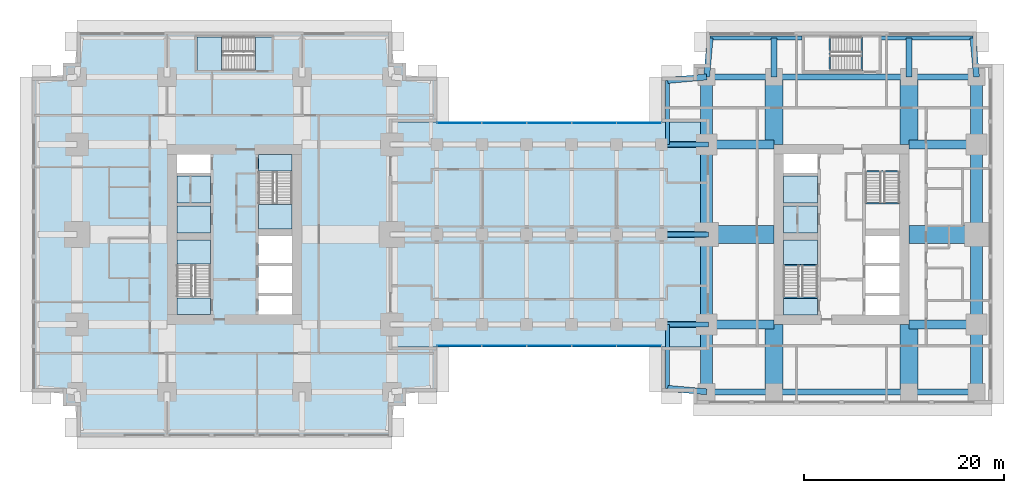
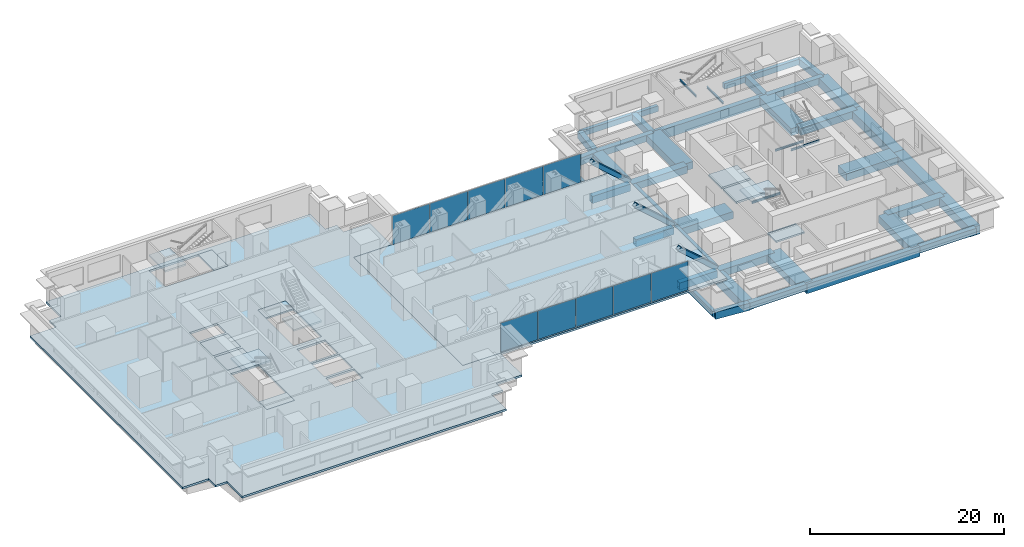
# One storey, part 5 of 16: 43 beams, 14 slabs, 10 plates, 3 members, 6 elements without a shape of their own.
"""IFC4 building model written with IfcOpenShell, lengths in metres."""

from ifc_helpers import new_model, si_unit, direction, frame, origin, origin_2d, place, context, subcontext, project, spatial, polyline, rectangle, hollow_rectangle, i_section, outline, extrude, material, layer, layer_set, material_profile, profile_set, type_object, element, aggregate, save


model = new_model("IFC4")

# Units and contexts
model_context = context("Model", 3, precision=1e-05, world=origin(), true_north=direction((0.0, 1.0)))
body_context = subcontext(model_context, "Body", "Model", "MODEL_VIEW")
ifc_project = project(units=[si_unit("LENGTHUNIT", "METRE"), si_unit("AREAUNIT", "SQUARE_METRE"), si_unit("VOLUMEUNIT", "CUBIC_METRE"), si_unit("PLANEANGLEUNIT", "RADIAN"), si_unit("MASSUNIT", "GRAM", prefix="KILO")], contexts=[model_context])

# Site, building, storey
site_placement = place(None, origin())
site = spatial("IfcSite", under=ifc_project, at=site_placement, CompositionType="ELEMENT")
building_placement = place(site_placement, origin())
building = spatial("IfcBuilding", under=site, at=building_placement, Name="Namib Vertical Campus", CompositionType="ELEMENT")
storey_placement = place(building_placement, frame((0.0, 0.0, 113.0)))
storey = spatial("IfcBuildingStorey", under=building, at=storey_placement, Name="L26", CompositionType="ELEMENT", Elevation=113.0)

# Members
ifc_material_1 = material(Name="Steel S355JR", Category="steel")
ifc_material_profile_1 = material_profile(ifc_material_1, hollow_rectangle(XDim=0.5, YDim=0.5, WallThickness=0.031982421875, at=origin_2d()))
ifc_profile_set_1 = profile_set([ifc_material_profile_1], Name="Steel S355JR")
member_type = type_object("IfcMemberType", Name="Bridge end brace WB 500x500x32", PredefinedType="BRACE", material=ifc_profile_set_1)
for number, where, z_axis, x_axis, name in (
    (1, (67.5, 11.25, 0.0), (-0.747409318684, 0.0, 0.66436383883), (0.0, -1.0, 0.0), "Bridge brace BX1 L26 T1 bay 7"),
    (2, (67.5, 20.25, 0.0), (-0.747409318684, 0.0, 0.66436383883), (0.0, -1.0, 0.0), "Bridge brace BX1 L26 T2 bay 7"),
    (3, (67.5, 29.25, 0.0), (-0.747409318684, 0.0, 0.66436383883), (0.0, -1.0, 0.0), "Bridge brace BX1 L26 T3 bay 7"),
):
    element("IfcMember", number, at=place(storey_placement, frame(where, z_axis=z_axis, x_axis=x_axis)), inside=storey, type_object=member_type, Name=name, PredefinedType="BRACE", context=body_context, shape_type="SweptSolid", body=[
        extrude(hollow_rectangle(XDim=0.5, YDim=0.5, WallThickness=0.031982421875, at=origin_2d()), origin(), (0.0, 0.0, 1.0), 6.020751953125),
    ])

# Beams
ifc_material_2 = material(Name="Steel S355JR", Category="steel")
ifc_material_profile_2 = material_profile(ifc_material_2, hollow_rectangle(XDim=0.60009765625, YDim=0.89990234375, WallThickness=0.050048828125, at=origin_2d()))
ifc_profile_set_2 = profile_set([ifc_material_profile_2], Name="Steel S355JR")
beam_type_1 = type_object("IfcBeamType", Name="Bridge girder WB 900x600x50", PredefinedType="BEAM", material=ifc_profile_set_2)
for number, where, z_axis, x_axis, name in (
    (4, (63.0, 11.25, -0.699951171875), (1.0, 0.0, 0.0), (0.0, 1.0, 0.0), "Bridge girder BG1 L26"),
    (5, (63.0, 20.25, -0.699951171875), (1.0, 0.0, 0.0), (0.0, 1.0, 0.0), "Bridge girder BG1 L26"),
    (6, (63.0, 29.25, -0.699951171875), (1.0, 0.0, 0.0), (0.0, 1.0, 0.0), "Bridge girder BG1 L26"),
):
    element("IfcBeam", number, at=place(storey_placement, frame(where, z_axis=z_axis, x_axis=x_axis)), inside=storey, type_object=beam_type_1, Name=name, PredefinedType="BEAM", context=body_context, shape_type="SweptSolid", body=[
        extrude(hollow_rectangle(XDim=0.60009765625, YDim=0.89990234375, WallThickness=0.050048828125, at=origin_2d()), origin(), (0.0, 0.0, 1.0), 4.5),
    ])
ifc_material_3 = material(Name="Concrete C40/50", Category="concrete")
ifc_material_profile_3 = material_profile(ifc_material_3, rectangle(XDim=0.60009765625, YDim=0.89990234375, at=origin_2d()))
ifc_profile_set_3 = profile_set([ifc_material_profile_3], Name="Concrete C40/50")
beam_type_2 = type_object("IfcBeamType", Name="Cantilever girder RC 600x900", PredefinedType="BEAM", material=ifc_profile_set_3)
beam_1_placement = place(storey_placement, frame((67.5, 36.0, -0.699951171875), z_axis=(0.089411326146, 0.995994786511, 0.0), x_axis=(-0.995994786511, 0.089411326146, 0.0)))
element("IfcBeam", 7, at=beam_1_placement, inside=storey, type_object=beam_type_2, Name="Beam B3 L26", PredefinedType="BEAM", context=body_context, shape_type="SweptSolid", body=[
    extrude(rectangle(XDim=0.60009765625, YDim=0.89990234375, at=origin_2d()), origin(), (0.0, 0.0, 1.0), 3.91552734375),
])
for number, where, z_axis, x_axis, name in (
    (8, (74.25, 36.0, -0.699951171875), (0.0, 1.0, 0.0), (-1.0, 0.0, 0.0), "Beam B3 L26"),
    (9, (87.75, 36.0, -0.699951171875), (0.0, 1.0, 0.0), (-1.0, 0.0, 0.0), "Beam B3 L26"),
):
    element("IfcBeam", number, at=place(storey_placement, frame(where, z_axis=z_axis, x_axis=x_axis)), inside=storey, type_object=beam_type_2, Name=name, PredefinedType="BEAM", context=body_context, shape_type="SweptSolid", body=[
        extrude(rectangle(XDim=0.60009765625, YDim=0.89990234375, at=origin_2d()), origin(), (0.0, 0.0, 1.0), 3.89990234375),
    ])
for number, where, z_axis, x_axis, name in (
    (10, (94.5, 36.0, -0.699951171875), (-0.089411326146, 0.995994786511, 0.0), (-0.995994786511, -0.089411326146, 0.0), "Beam B3 L26"),
    (11, (67.5, 4.5, -0.699951171875), (-0.995994786511, 0.089411326146, 0.0), (-0.089411326146, -0.995994786511, 0.0), "Beam B3 L26"),
    (12, (67.5, 36.0, -0.699951171875), (-0.995994786511, -0.089411326146, 0.0), (0.089411326146, -0.995994786511, 0.0), "Beam B3 L26"),
):
    element("IfcBeam", number, at=place(storey_placement, frame(where, z_axis=z_axis, x_axis=x_axis)), inside=storey, type_object=beam_type_2, Name=name, PredefinedType="BEAM", context=body_context, shape_type="SweptSolid", body=[
        extrude(rectangle(XDim=0.60009765625, YDim=0.89990234375, at=origin_2d()), origin(), (0.0, 0.0, 1.0), 3.91552734375),
    ])
ifc_material_4 = material(Name="Concrete C40/50", Category="concrete")
ifc_material_profile_4 = material_profile(ifc_material_4, rectangle(XDim=0.39990234375, YDim=0.699951171875, at=origin_2d()))
ifc_profile_set_4 = profile_set([ifc_material_profile_4], Name="Concrete C40/50")
beam_type_3 = type_object("IfcBeamType", Name="Edge beam RC 400x700", PredefinedType="SPANDREL", material=ifc_profile_set_4)
for number, where, z_axis, x_axis, name in (
    (13, (67.85009765625, 39.89990234375, -0.60009765625), (1.0, 0.0, 0.0), (0.0, 1.0, 0.0), "Beam B4 L26"),
    (14, (84.949951171875, 39.89990234375, -0.60009765625), (1.0, 0.0, 0.0), (0.0, 1.0, 0.0), "Beam B4 L26"),
):
    element("IfcBeam", number, at=place(storey_placement, frame(where, z_axis=z_axis, x_axis=x_axis)), inside=storey, type_object=beam_type_3, Name=name, PredefinedType="SPANDREL", context=body_context, shape_type="SweptSolid", body=[
        extrude(rectangle(XDim=0.39990234375, YDim=0.699951171875, at=origin_2d()), origin(), (0.0, 0.0, 1.0), 9.199951171875),
    ])
for number, where, z_axis, x_axis, name in (
    (15, (63.60009765625, 4.85009765625, -0.60009765625), (0.0, 1.0, 0.0), (-1.0, 0.0, 0.0), "Beam B4 L26"),
    (16, (63.60009765625, 29.25, -0.60009765625), (0.0, 1.0, 0.0), (-1.0, 0.0, 0.0), "Beam B4 L26"),
):
    element("IfcBeam", number, at=place(storey_placement, frame(where, z_axis=z_axis, x_axis=x_axis)), inside=storey, type_object=beam_type_3, Name=name, PredefinedType="SPANDREL", context=body_context, shape_type="SweptSolid", body=[
        extrude(rectangle(XDim=0.39990234375, YDim=0.699951171875, at=origin_2d()), origin(), (0.0, 0.0, 1.0), 6.39990234375),
    ])
ifc_material_5 = material(Name="Concrete C40/50", Category="concrete")
ifc_material_profile_5 = material_profile(ifc_material_5, rectangle(XDim=0.89990234375, YDim=0.89990234375, at=origin_2d()))
ifc_profile_set_5 = profile_set([ifc_material_profile_5], Name="Concrete C40/50")
beam_type_4 = type_object("IfcBeamType", Name="Face girder RC 900x900", PredefinedType="BEAM", material=ifc_profile_set_5)
for number, where, z_axis, x_axis, name in (
    (17, (67.5, 11.25, -0.699951171875), (1.0, 0.0, 0.0), (0.0, 1.0, 0.0), "Beam B10 L26"),
    (18, (94.5, 11.25, -0.699951171875), (-1.0, 0.0, 0.0), (0.0, -1.0, 0.0), "Beam B10 L26"),
    (19, (67.5, 29.25, -0.699951171875), (1.0, 0.0, 0.0), (0.0, 1.0, 0.0), "Beam B10 L26"),
    (20, (94.5, 29.25, -0.699951171875), (-1.0, 0.0, 0.0), (0.0, -1.0, 0.0), "Beam B10 L26"),
):
    element("IfcBeam", number, at=place(storey_placement, frame(where, z_axis=z_axis, x_axis=x_axis)), inside=storey, type_object=beam_type_4, Name=name, PredefinedType="BEAM", context=body_context, shape_type="SweptSolid", body=[
        extrude(rectangle(XDim=0.89990234375, YDim=0.89990234375, at=origin_2d()), origin(), (0.0, 0.0, 1.0), 6.75),
    ])
ifc_material_6 = material(Name="Concrete C40/50", Category="concrete")
ifc_material_profile_6 = material_profile(ifc_material_6, rectangle(XDim=1.199951171875, YDim=1.10009765625, at=origin_2d()))
ifc_profile_set_6 = profile_set([ifc_material_profile_6], Name="Concrete C40/50")
beam_type_5 = type_object("IfcBeamType", Name="Face ring beam RC 1200x1100", PredefinedType="BEAM", material=ifc_profile_set_6)
beam_2_placement = place(storey_placement, frame((67.5, 4.5, -0.800048828125), z_axis=(0.0, 1.0, 0.0), x_axis=(-1.0, 0.0, 0.0)))
element("IfcBeam", 21, at=beam_2_placement, inside=storey, type_object=beam_type_5, Name="Beam B11 L26", PredefinedType="BEAM", context=body_context, shape_type="SweptSolid", body=[
    extrude(rectangle(XDim=1.199951171875, YDim=1.10009765625, at=origin_2d()), origin(), (0.0, 0.0, 1.0), 6.75),
])
for number, where, z_axis, x_axis, name in (
    (22, (67.5, 11.25, -0.800048828125), (0.0, 1.0, 0.0), (-1.0, 0.0, 0.0), "Beam B11 L26"),
    (23, (67.5, 20.25, -0.800048828125), (0.0, 1.0, 0.0), (-1.0, 0.0, 0.0), "Beam B11 L26"),
):
    element("IfcBeam", number, at=place(storey_placement, frame(where, z_axis=z_axis, x_axis=x_axis)), inside=storey, type_object=beam_type_5, Name=name, PredefinedType="BEAM", context=body_context, shape_type="SweptSolid", body=[
        extrude(rectangle(XDim=1.199951171875, YDim=1.10009765625, at=origin_2d()), origin(), (0.0, 0.0, 1.0), 9.0),
    ])
for number, where, z_axis, x_axis, name in (
    (24, (67.5, 29.25, -0.800048828125), (0.0, 1.0, 0.0), (-1.0, 0.0, 0.0), "Beam B11 L26"),
    (25, (94.5, 4.5, -0.800048828125), (0.0, 1.0, 0.0), (-1.0, 0.0, 0.0), "Beam B11 L26"),
):
    element("IfcBeam", number, at=place(storey_placement, frame(where, z_axis=z_axis, x_axis=x_axis)), inside=storey, type_object=beam_type_5, Name=name, PredefinedType="BEAM", context=body_context, shape_type="SweptSolid", body=[
        extrude(rectangle(XDim=1.199951171875, YDim=1.10009765625, at=origin_2d()), origin(), (0.0, 0.0, 1.0), 6.75),
    ])
for number, where, z_axis, x_axis, name in (
    (26, (94.5, 11.25, -0.800048828125), (0.0, 1.0, 0.0), (-1.0, 0.0, 0.0), "Beam B11 L26"),
    (27, (94.5, 20.25, -0.800048828125), (0.0, 1.0, 0.0), (-1.0, 0.0, 0.0), "Beam B11 L26"),
):
    element("IfcBeam", number, at=place(storey_placement, frame(where, z_axis=z_axis, x_axis=x_axis)), inside=storey, type_object=beam_type_5, Name=name, PredefinedType="BEAM", context=body_context, shape_type="SweptSolid", body=[
        extrude(rectangle(XDim=1.199951171875, YDim=1.10009765625, at=origin_2d()), origin(), (0.0, 0.0, 1.0), 9.0),
    ])
beam_3_placement = place(storey_placement, frame((94.5, 29.25, -0.800048828125), z_axis=(0.0, 1.0, 0.0), x_axis=(-1.0, 0.0, 0.0)))
element("IfcBeam", 28, at=beam_3_placement, inside=storey, type_object=beam_type_5, Name="Beam B11 L26", PredefinedType="BEAM", context=body_context, shape_type="SweptSolid", body=[
    extrude(rectangle(XDim=1.199951171875, YDim=1.10009765625, at=origin_2d()), origin(), (0.0, 0.0, 1.0), 6.75),
])
ifc_material_7 = material(Name="Steel S355JR", Category="steel")
ifc_material_profile_7 = material_profile(ifc_material_7, i_section(OverallWidth=0.14599609375, OverallDepth=0.25146484375, WebThickness=0.006103515625, FlangeThickness=0.008544921875, FilletRadius=0.007568359375, at=origin_2d()))
ifc_profile_set_7 = profile_set([ifc_material_profile_7], Name="Steel S355JR")
beam_type_6 = type_object("IfcBeamType", Name="Landing trimmer UB 254x146x31", PredefinedType="BEAM", material=ifc_profile_set_7)
for number, where, z_axis, x_axis, name in (
    (29, (75.199951171875, 13.927001953125, -0.125732421875), (1.0, 0.0, 0.0), (0.0, 1.0, 0.0), "Landing trimmer LT1 B-S1 L26 1"),
    (30, (75.199951171875, 17.153076171875, 1.874267578125), (1.0, 0.0, 0.0), (0.0, 1.0, 0.0), "Landing trimmer LT1 B-S1 L26 2"),
    (31, (83.39990234375, 26.572998046875, -0.125732421875), (1.0, 0.0, 0.0), (0.0, 1.0, 0.0), "Landing trimmer LT1 B-S2 L26 1"),
    (32, (83.39990234375, 23.346923828125, 1.874267578125), (1.0, 0.0, 0.0), (0.0, 1.0, 0.0), "Landing trimmer LT1 B-S2 L26 2"),
):
    element("IfcBeam", number, at=place(storey_placement, frame(where, z_axis=z_axis, x_axis=x_axis)), inside=storey, type_object=beam_type_6, Name=name, PredefinedType="BEAM", context=body_context, shape_type="SweptSolid", body=[
        extrude(i_section(OverallWidth=0.14599609375, OverallDepth=0.25146484375, WebThickness=0.006103515625, FlangeThickness=0.008544921875, FilletRadius=0.007568359375, at=origin_2d()), origin(), (0.0, 0.0, 1.0), 3.400146484375),
    ])
for number, where, z_axis, x_axis, name in (
    (33, (83.02294921875, 36.60009765625, -0.125732421875), (0.0, 1.0, 0.0), (-1.0, 0.0, 0.0), "Landing trimmer LT1 B-S3 L26 1"),
    (34, (79.796875, 36.60009765625, 1.874267578125), (0.0, 1.0, 0.0), (-1.0, 0.0, 0.0), "Landing trimmer LT1 B-S3 L26 2"),
):
    element("IfcBeam", number, at=place(storey_placement, frame(where, z_axis=z_axis, x_axis=x_axis)), inside=storey, type_object=beam_type_6, Name=name, PredefinedType="BEAM", context=body_context, shape_type="SweptSolid", body=[
        extrude(i_section(OverallWidth=0.14599609375, OverallDepth=0.25146484375, WebThickness=0.006103515625, FlangeThickness=0.008544921875, FilletRadius=0.007568359375, at=origin_2d()), origin(), (0.0, 0.0, 1.0), 3.39990234375),
    ])
ifc_material_8 = material(Name="Concrete C40/50", Category="concrete")
ifc_material_profile_8 = material_profile(ifc_material_8, rectangle(XDim=0.60009765625, YDim=1.199951171875, at=origin_2d()))
ifc_profile_set_8 = profile_set([ifc_material_profile_8], Name="Concrete C40/50")
beam_type_7 = type_object("IfcBeamType", Name="Long-span ring beam RC 600x1200", PredefinedType="BEAM", material=ifc_profile_set_8)
for number, where, z_axis, x_axis, name in (
    (35, (74.25, 4.5, -0.85009765625), (1.0, 0.0, 0.0), (0.0, 1.0, 0.0), "Beam B9 L26"),
    (36, (74.25, 36.0, -0.85009765625), (1.0, 0.0, 0.0), (0.0, 1.0, 0.0), "Beam B9 L26"),
):
    element("IfcBeam", number, at=place(storey_placement, frame(where, z_axis=z_axis, x_axis=x_axis)), inside=storey, type_object=beam_type_7, Name=name, PredefinedType="BEAM", context=body_context, shape_type="SweptSolid", body=[
        extrude(rectangle(XDim=0.60009765625, YDim=1.199951171875, at=origin_2d()), origin(), (0.0, 0.0, 1.0), 13.5),
    ])
ifc_material_9 = material(Name="Concrete C40/50", Category="concrete")
ifc_material_profile_9 = material_profile(ifc_material_9, rectangle(XDim=1.800048828125, YDim=0.89990234375, at=origin_2d()))
ifc_profile_set_9 = profile_set([ifc_material_profile_9], Name="Concrete C40/50")
beam_type_8 = type_object("IfcBeamType", Name="Outrigger line girder RC 1800x900", PredefinedType="BEAM", material=ifc_profile_set_9)
for number, where, z_axis, x_axis, name in (
    (37, (74.25, 4.5, -0.699951171875), (0.0, 1.0, 0.0), (-1.0, 0.0, 0.0), "Beam B12 L26"),
    (38, (74.25, 36.0, -0.699951171875), (0.0, -1.0, 0.0), (1.0, 0.0, 0.0), "Beam B12 L26"),
    (39, (87.75, 4.5, -0.699951171875), (0.0, 1.0, 0.0), (-1.0, 0.0, 0.0), "Beam B12 L26"),
    (40, (87.75, 36.0, -0.699951171875), (0.0, -1.0, 0.0), (1.0, 0.0, 0.0), "Beam B12 L26"),
    (41, (67.5, 20.25, -0.699951171875), (1.0, 0.0, 0.0), (0.0, 1.0, 0.0), "Beam B12 L26"),
    (42, (94.5, 20.25, -0.699951171875), (-1.0, 0.0, 0.0), (0.0, -1.0, 0.0), "Beam B12 L26"),
):
    element("IfcBeam", number, at=place(storey_placement, frame(where, z_axis=z_axis, x_axis=x_axis)), inside=storey, type_object=beam_type_8, Name=name, PredefinedType="BEAM", context=body_context, shape_type="SweptSolid", body=[
        extrude(rectangle(XDim=1.800048828125, YDim=0.89990234375, at=origin_2d()), origin(), (0.0, 0.0, 1.0), 6.75),
    ])
ifc_material_10 = material(Name="Concrete C40/50", Category="concrete")
ifc_material_profile_10 = material_profile(ifc_material_10, rectangle(XDim=0.60009765625, YDim=0.800048828125, at=origin_2d()))
ifc_profile_set_10 = profile_set([ifc_material_profile_10], Name="Concrete C40/50")
beam_type_9 = type_object("IfcBeamType", Name="Ring beam RC 600x800", PredefinedType="BEAM", material=ifc_profile_set_10)
for number, where, z_axis, x_axis, name in (
    (43, (67.5, 4.5, -0.64990234375), (1.0, 0.0, 0.0), (0.0, 1.0, 0.0), "Beam B1 L26"),
    (44, (87.75, 4.5, -0.64990234375), (1.0, 0.0, 0.0), (0.0, 1.0, 0.0), "Beam B1 L26"),
    (45, (67.5, 36.0, -0.64990234375), (1.0, 0.0, 0.0), (0.0, 1.0, 0.0), "Beam B1 L26"),
    (46, (87.75, 36.0, -0.64990234375), (1.0, 0.0, 0.0), (0.0, 1.0, 0.0), "Beam B1 L26"),
):
    element("IfcBeam", number, at=place(storey_placement, frame(where, z_axis=z_axis, x_axis=x_axis)), inside=storey, type_object=beam_type_9, Name=name, PredefinedType="BEAM", context=body_context, shape_type="SweptSolid", body=[
        extrude(rectangle(XDim=0.60009765625, YDim=0.800048828125, at=origin_2d()), origin(), (0.0, 0.0, 1.0), 6.75),
    ])

# Curtain wall, plates
ifc_material_11 = material(Name="Black aluminium curtain wall", Category="aluminium")
ifc_layer_1 = layer(ifc_material_11, 0.199951171875)
ifc_layer_set_1 = layer_set([ifc_layer_1], Name="Bridge curtain wall CW-BR")
curtain_wall_type = type_object("IfcCurtainWallType", Name="Bridge curtain wall CW-BR", PredefinedType="USERDEFINED", material=ifc_layer_set_1)
curtain_wall_1_placement = place(storey_placement, origin())
curtain_wall_1 = element("IfcCurtainWall", 47, at=curtain_wall_1_placement, inside=storey, type_object=curtain_wall_type, Name="Curtain wall CW-BR L26 S", ObjectType="CURTAIN WALL", PredefinedType="USERDEFINED")
ifc_material_12 = material(Name="Dark tinted glass", Category="glass")
ifc_layer_2 = layer(ifc_material_12, 0.028076171875)
ifc_layer_set_2 = layer_set([ifc_layer_2], Name="Dark solar glass panel 28")
plate_type = type_object("IfcPlateType", Name="Dark solar glass panel 28", PredefinedType="CURTAIN_PANEL", material=ifc_layer_set_2)
plate_1_placement = place(storey_placement, frame((42.764892578125, 9.10009765625, 0.06005859375), z_axis=(0.0, 0.0, 1.0), x_axis=(1.0, 0.0, 0.0)))
plate_1 = element("IfcPlate", 48, at=plate_1_placement, type_object=plate_type, Name="CW-BR panel 1.1", PredefinedType="CURTAIN_PANEL", context=body_context, shape_type="SweptSolid", body=[
    extrude(rectangle(XDim=4.409912109375, YDim=0.028076171875, at=origin_2d()), origin(), (0.0, 0.0, 1.0), 3.6298828125),
])
plate_2_placement = place(storey_placement, frame((47.25, 9.10009765625, 0.06005859375), z_axis=(0.0, 0.0, 1.0), x_axis=(1.0, 0.0, 0.0)))
plate_2 = element("IfcPlate", 49, at=plate_2_placement, type_object=plate_type, Name="CW-BR panel 2.1", PredefinedType="CURTAIN_PANEL", context=body_context, shape_type="SweptSolid", body=[
    extrude(rectangle(XDim=4.43994140625, YDim=0.028076171875, at=origin_2d()), origin(), (0.0, 0.0, 1.0), 3.6298828125),
])
plate_3_placement = place(storey_placement, frame((51.75, 9.10009765625, 0.06005859375), z_axis=(0.0, 0.0, 1.0), x_axis=(1.0, 0.0, 0.0)))
plate_3 = element("IfcPlate", 50, at=plate_3_placement, type_object=plate_type, Name="CW-BR panel 3.1", PredefinedType="CURTAIN_PANEL", context=body_context, shape_type="SweptSolid", body=[
    extrude(rectangle(XDim=4.43994140625, YDim=0.028076171875, at=origin_2d()), origin(), (0.0, 0.0, 1.0), 3.6298828125),
])
plate_4_placement = place(storey_placement, frame((56.25, 9.10009765625, 0.06005859375), z_axis=(0.0, 0.0, 1.0), x_axis=(1.0, 0.0, 0.0)))
plate_4 = element("IfcPlate", 51, at=plate_4_placement, type_object=plate_type, Name="CW-BR panel 4.1", PredefinedType="CURTAIN_PANEL", context=body_context, shape_type="SweptSolid", body=[
    extrude(rectangle(XDim=4.43994140625, YDim=0.028076171875, at=origin_2d()), origin(), (0.0, 0.0, 1.0), 3.6298828125),
])
plate_5_placement = place(storey_placement, frame((60.735107421875, 9.10009765625, 0.06005859375), z_axis=(0.0, 0.0, 1.0), x_axis=(1.0, 0.0, 0.0)))
plate_5 = element("IfcPlate", 52, at=plate_5_placement, type_object=plate_type, Name="CW-BR panel 5.1", PredefinedType="CURTAIN_PANEL", context=body_context, shape_type="SweptSolid", body=[
    extrude(rectangle(XDim=4.409912109375, YDim=0.028076171875, at=origin_2d()), origin(), (0.0, 0.0, 1.0), 3.6298828125),
])
aggregate(curtain_wall_1, [plate_1, plate_2, plate_3, plate_4, plate_5])

curtain_wall_2_placement = place(storey_placement, origin())
curtain_wall_2 = element("IfcCurtainWall", 53, at=curtain_wall_2_placement, inside=storey, type_object=curtain_wall_type, Name="Curtain wall CW-BR L26 N", ObjectType="CURTAIN WALL", PredefinedType="USERDEFINED")
plate_6_placement = place(storey_placement, frame((60.735107421875, 31.39990234375, 0.06005859375), z_axis=(0.0, 0.0, 1.0), x_axis=(-1.0, 0.0, 0.0)))
plate_6 = element("IfcPlate", 54, at=plate_6_placement, type_object=plate_type, Name="CW-BR panel 1.1", PredefinedType="CURTAIN_PANEL", context=body_context, shape_type="SweptSolid", body=[
    extrude(rectangle(XDim=4.409912109375, YDim=0.028076171875, at=origin_2d()), origin(), (0.0, 0.0, 1.0), 3.6298828125),
])
plate_7_placement = place(storey_placement, frame((56.25, 31.39990234375, 0.06005859375), z_axis=(0.0, 0.0, 1.0), x_axis=(-1.0, 0.0, 0.0)))
plate_7 = element("IfcPlate", 55, at=plate_7_placement, type_object=plate_type, Name="CW-BR panel 2.1", PredefinedType="CURTAIN_PANEL", context=body_context, shape_type="SweptSolid", body=[
    extrude(rectangle(XDim=4.43994140625, YDim=0.028076171875, at=origin_2d()), origin(), (0.0, 0.0, 1.0), 3.6298828125),
])
plate_8_placement = place(storey_placement, frame((51.75, 31.39990234375, 0.06005859375), z_axis=(0.0, 0.0, 1.0), x_axis=(-1.0, 0.0, 0.0)))
plate_8 = element("IfcPlate", 56, at=plate_8_placement, type_object=plate_type, Name="CW-BR panel 3.1", PredefinedType="CURTAIN_PANEL", context=body_context, shape_type="SweptSolid", body=[
    extrude(rectangle(XDim=4.43994140625, YDim=0.028076171875, at=origin_2d()), origin(), (0.0, 0.0, 1.0), 3.6298828125),
])
plate_9_placement = place(storey_placement, frame((47.25, 31.39990234375, 0.06005859375), z_axis=(0.0, 0.0, 1.0), x_axis=(-1.0, 0.0, 0.0)))
plate_9 = element("IfcPlate", 57, at=plate_9_placement, type_object=plate_type, Name="CW-BR panel 4.1", PredefinedType="CURTAIN_PANEL", context=body_context, shape_type="SweptSolid", body=[
    extrude(rectangle(XDim=4.43994140625, YDim=0.028076171875, at=origin_2d()), origin(), (0.0, 0.0, 1.0), 3.6298828125),
])
plate_10_placement = place(storey_placement, frame((42.764892578125, 31.39990234375, 0.06005859375), z_axis=(0.0, 0.0, 1.0), x_axis=(-1.0, 0.0, 0.0)))
plate_10 = element("IfcPlate", 58, at=plate_10_placement, type_object=plate_type, Name="CW-BR panel 5.1", PredefinedType="CURTAIN_PANEL", context=body_context, shape_type="SweptSolid", body=[
    extrude(rectangle(XDim=4.409912109375, YDim=0.028076171875, at=origin_2d()), origin(), (0.0, 0.0, 1.0), 3.6298828125),
])
aggregate(curtain_wall_2, [plate_6, plate_7, plate_8, plate_9, plate_10])

# Slabs
ifc_material_13 = material(Name="Concrete C40/50", Category="concrete")
ifc_layer_3 = layer(ifc_material_13, 0.25)
ifc_layer_set_3 = layer_set([ifc_layer_3], Name="Concrete C40/50")
slab_type_1 = type_object("IfcSlabType", Name="Floor slab 250", PredefinedType="FLOOR", material=ifc_layer_set_3)
slab_1_placement = place(storey_placement, frame((0.0, 0.0, -0.25)))
element("IfcSlab", 59, at=slab_1_placement, inside=storey, type_object=slab_type_1, Name="Floor slab A L26", PredefinedType="FLOOR", context=body_context, shape_type="SweptSolid", body=[
    extrude(outline(polyline([(4.5, 3.10009765625), (4.5, 0.0), (36.0, 0.0), (36.0, 3.10009765625), (37.39990234375, 3.10009765625), (37.39990234375, 4.5), (40.5, 4.5), (40.5, 9.0), (36.0, 9.0), (36.0, 31.5), (40.5, 31.5), (40.5, 36.0), (37.39990234375, 36.0), (37.39990234375, 37.39990234375), (36.0, 37.39990234375), (36.0, 40.5), (4.5, 40.5), (4.5, 37.39990234375), (3.10009765625, 37.39990234375), (3.10009765625, 36.0), (0.0, 36.0), (0.0, 4.5), (3.10009765625, 4.5), (3.10009765625, 3.10009765625), (4.5, 3.10009765625)]), holes=[polyline([(14.5, 12.25), (17.85009765625, 12.25), (17.85009765625, 19.699951171875), (14.5, 19.699951171875), (14.5, 12.25)]), polyline([(22.64990234375, 20.800048828125), (26.0, 20.800048828125), (26.0, 28.25), (22.64990234375, 28.25), (22.64990234375, 20.800048828125)]), polyline([(22.64990234375, 12.25), (26.0, 12.25), (26.0, 14.10009765625), (22.64990234375, 14.10009765625), (22.64990234375, 12.25)]), polyline([(14.5, 20.39990234375), (17.85009765625, 20.39990234375), (17.85009765625, 23.10009765625), (14.5, 23.10009765625), (14.5, 20.39990234375)]), polyline([(14.5, 23.39990234375), (17.85009765625, 23.39990234375), (17.85009765625, 26.10009765625), (14.5, 26.10009765625), (14.5, 23.39990234375)]), polyline([(14.5, 26.39990234375), (17.85009765625, 26.39990234375), (17.85009765625, 28.25), (14.5, 28.25), (14.5, 26.39990234375)]), polyline([(22.64990234375, 14.39990234375), (26.0, 14.39990234375), (26.0, 17.10009765625), (22.64990234375, 17.10009765625), (22.64990234375, 14.39990234375)]), polyline([(22.64990234375, 17.39990234375), (26.0, 17.39990234375), (26.0, 20.10009765625), (22.64990234375, 20.10009765625), (22.64990234375, 17.39990234375)]), polyline([(16.5, 36.64990234375), (24.0, 36.64990234375), (24.0, 40.0), (16.5, 40.0), (16.5, 36.64990234375)])]), origin(), (0.0, 0.0, 1.0), 0.25),
])
slab_2_placement = place(storey_placement, frame((0.0, 0.0, -0.25)))
element("IfcSlab", 60, at=slab_2_placement, inside=storey, type_object=slab_type_1, Name="Bridge floor L26", PredefinedType="FLOOR", context=body_context, shape_type="SweptSolid", body=[
    extrude(outline(polyline([(36.0, 9.0), (67.5, 9.0), (67.5, 31.5), (36.0, 31.5), (36.0, 9.0)])), origin(), (0.0, 0.0, 1.0), 0.25),
])
ifc_material_14 = material(Name="Concrete C40/50 precast", Category="concrete")
ifc_layer_4 = layer(ifc_material_14, 0.25)
ifc_layer_set_4 = layer_set([ifc_layer_4], Name="Concrete C40/50 precast")
slab_type_2 = type_object("IfcSlabType", Name="Shaft infill floor 250", PredefinedType="FLOOR", material=ifc_layer_set_4)
slab_3_placement = place(storey_placement, frame((0.0, 0.0, -0.25)))
element("IfcSlab", 61, at=slab_3_placement, inside=storey, type_object=slab_type_2, Name="Shaft infill floor A L26 P1", PredefinedType="FLOOR", context=body_context, shape_type="SweptSolid", body=[
    extrude(outline(polyline([(14.5, 20.39990234375), (17.85009765625, 20.39990234375), (17.85009765625, 23.10009765625), (14.5, 23.10009765625), (14.5, 20.39990234375)])), origin(), (0.0, 0.0, 1.0), 0.25),
])
slab_4_placement = place(storey_placement, frame((0.0, 0.0, -0.25)))
element("IfcSlab", 62, at=slab_4_placement, inside=storey, type_object=slab_type_2, Name="Shaft infill floor A L26 P2", PredefinedType="FLOOR", context=body_context, shape_type="SweptSolid", body=[
    extrude(outline(polyline([(14.5, 23.39990234375), (17.85009765625, 23.39990234375), (17.85009765625, 26.10009765625), (14.5, 26.10009765625), (14.5, 23.39990234375)])), origin(), (0.0, 0.0, 1.0), 0.25),
])
slab_5_placement = place(storey_placement, frame((0.0, 0.0, -0.25)))
element("IfcSlab", 63, at=slab_5_placement, inside=storey, type_object=slab_type_2, Name="Shaft infill floor B L26 P1", PredefinedType="FLOOR", context=body_context, shape_type="SweptSolid", body=[
    extrude(outline(polyline([(75.199951171875, 20.39990234375), (78.60009765625, 20.39990234375), (78.60009765625, 23.10009765625), (75.199951171875, 23.10009765625), (75.199951171875, 20.39990234375)])), origin(), (0.0, 0.0, 1.0), 0.25),
])
slab_6_placement = place(storey_placement, frame((0.0, 0.0, -0.25)))
element("IfcSlab", 64, at=slab_6_placement, inside=storey, type_object=slab_type_2, Name="Shaft infill floor B L26 P2", PredefinedType="FLOOR", context=body_context, shape_type="SweptSolid", body=[
    extrude(outline(polyline([(75.199951171875, 23.39990234375), (78.60009765625, 23.39990234375), (78.60009765625, 26.10009765625), (75.199951171875, 26.10009765625), (75.199951171875, 23.39990234375)])), origin(), (0.0, 0.0, 1.0), 0.25),
])

# Stair, slabs
ifc_material_15 = material(Name="Concrete C40/50 precast", Category="concrete")
stair_type_1 = type_object("IfcStairType", Name="Exit stair 4000 rise 24 risers 3350 wide", PredefinedType="HALF_TURN_STAIR", material=ifc_material_15)
stair_1_placement = place(storey_placement, origin())
stair_1 = element("IfcStair", 65, at=stair_1_placement, inside=storey, type_object=stair_type_1, Name="Exit stair A-S1 L26", PredefinedType="HALF_TURN_STAIR")
ifc_material_16 = material(Name="Concrete C40/50", Category="concrete")
ifc_layer_5 = layer(ifc_material_16, 0.199951171875)
ifc_layer_set_5 = layer_set([ifc_layer_5], Name="Concrete C40/50")
slab_type_3 = type_object("IfcSlabType", Name="Stair landing 200", PredefinedType="LANDING", material=ifc_layer_set_5)
slab_7_placement = place(storey_placement, frame((0.0, 0.0, -0.199951171875)))
slab_7 = element("IfcSlab", 66, at=slab_7_placement, type_object=slab_type_3, Name="A-S1 landing 1", PredefinedType="LANDING", context=body_context, shape_type="SweptSolid", body=[
    extrude(outline(polyline([(14.5, 12.25), (17.85009765625, 12.25), (17.85009765625, 13.90380859375), (14.5, 13.90380859375), (14.5, 12.25)])), origin(), (0.0, 0.0, 1.0), 0.199951171875),
])
slab_8_placement = place(storey_placement, frame((0.0, 0.0, 1.800048828125)))
slab_8 = element("IfcSlab", 67, at=slab_8_placement, type_object=slab_type_3, Name="A-S1 landing 2", PredefinedType="LANDING", context=body_context, shape_type="SweptSolid", body=[
    extrude(outline(polyline([(14.5, 17.276123046875), (17.85009765625, 17.276123046875), (17.85009765625, 19.699951171875), (14.5, 19.699951171875), (14.5, 17.276123046875)])), origin(), (0.0, 0.0, 1.0), 0.199951171875),
])
aggregate(stair_1, [slab_7, slab_8])

stair_2_placement = place(storey_placement, origin())
stair_2 = element("IfcStair", 68, at=stair_2_placement, inside=storey, type_object=stair_type_1, Name="Exit stair A-S2 L26", PredefinedType="HALF_TURN_STAIR")
slab_9_placement = place(storey_placement, frame((0.0, 0.0, -0.199951171875)))
slab_9 = element("IfcSlab", 69, at=slab_9_placement, type_object=slab_type_3, Name="A-S2 landing 1", PredefinedType="LANDING", context=body_context, shape_type="SweptSolid", body=[
    extrude(outline(polyline([(22.64990234375, 26.59619140625), (26.0, 26.59619140625), (26.0, 28.25), (22.64990234375, 28.25), (22.64990234375, 26.59619140625)])), origin(), (0.0, 0.0, 1.0), 0.199951171875),
])
slab_10_placement = place(storey_placement, frame((0.0, 0.0, 1.800048828125)))
slab_10 = element("IfcSlab", 70, at=slab_10_placement, type_object=slab_type_3, Name="A-S2 landing 2", PredefinedType="LANDING", context=body_context, shape_type="SweptSolid", body=[
    extrude(outline(polyline([(22.64990234375, 20.800048828125), (26.0, 20.800048828125), (26.0, 23.223876953125), (22.64990234375, 23.223876953125), (22.64990234375, 20.800048828125)])), origin(), (0.0, 0.0, 1.0), 0.199951171875),
])
aggregate(stair_2, [slab_9, slab_10])

ifc_material_17 = material(Name="Concrete C40/50 precast", Category="concrete")
stair_type_2 = type_object("IfcStairType", Name="Exit stair 4000 rise 24 risers 3400 wide", PredefinedType="HALF_TURN_STAIR", material=ifc_material_17)
stair_3_placement = place(storey_placement, origin())
stair_3 = element("IfcStair", 71, at=stair_3_placement, inside=storey, type_object=stair_type_2, Name="Exit stair B-S1 L26", PredefinedType="HALF_TURN_STAIR")
slab_11_placement = place(storey_placement, frame((0.0, 0.0, -0.199951171875)))
slab_11 = element("IfcSlab", 72, at=slab_11_placement, type_object=slab_type_3, Name="B-S1 landing 1", PredefinedType="LANDING", context=body_context, shape_type="SweptSolid", body=[
    extrude(outline(polyline([(75.199951171875, 12.199951171875), (78.60009765625, 12.199951171875), (78.60009765625, 13.85400390625), (75.199951171875, 13.85400390625), (75.199951171875, 12.199951171875)])), origin(), (0.0, 0.0, 1.0), 0.199951171875),
])
slab_12_placement = place(storey_placement, frame((0.0, 0.0, 1.800048828125)))
slab_12 = element("IfcSlab", 73, at=slab_12_placement, type_object=slab_type_3, Name="B-S1 landing 2", PredefinedType="LANDING", context=body_context, shape_type="SweptSolid", body=[
    extrude(outline(polyline([(75.199951171875, 17.22607421875), (78.60009765625, 17.22607421875), (78.60009765625, 19.699951171875), (75.199951171875, 19.699951171875), (75.199951171875, 17.22607421875)])), origin(), (0.0, 0.0, 1.0), 0.199951171875),
])
aggregate(stair_3, [slab_11, slab_12])

stair_4_placement = place(storey_placement, origin())
stair_4 = element("IfcStair", 74, at=stair_4_placement, inside=storey, type_object=stair_type_1, Name="Exit stair A-S3 L26", PredefinedType="HALF_TURN_STAIR")
slab_13_placement = place(storey_placement, frame((0.0, 0.0, -0.199951171875)))
slab_13 = element("IfcSlab", 75, at=slab_13_placement, type_object=slab_type_3, Name="A-S3 landing 1", PredefinedType="LANDING", context=body_context, shape_type="SweptSolid", body=[
    extrude(outline(polyline([(22.34619140625, 36.64990234375), (22.34619140625, 40.0), (24.0, 40.0), (24.0, 36.64990234375), (22.34619140625, 36.64990234375)])), origin(), (0.0, 0.0, 1.0), 0.199951171875),
])
slab_14_placement = place(storey_placement, frame((0.0, 0.0, 1.800048828125)))
slab_14 = element("IfcSlab", 76, at=slab_14_placement, type_object=slab_type_3, Name="A-S3 landing 2", PredefinedType="LANDING", context=body_context, shape_type="SweptSolid", body=[
    extrude(outline(polyline([(16.5, 36.64990234375), (16.5, 40.0), (18.973876953125, 40.0), (18.973876953125, 36.64990234375), (16.5, 36.64990234375)])), origin(), (0.0, 0.0, 1.0), 0.199951171875),
])
aggregate(stair_4, [slab_13, slab_14])

save(model, "model.ifc")
